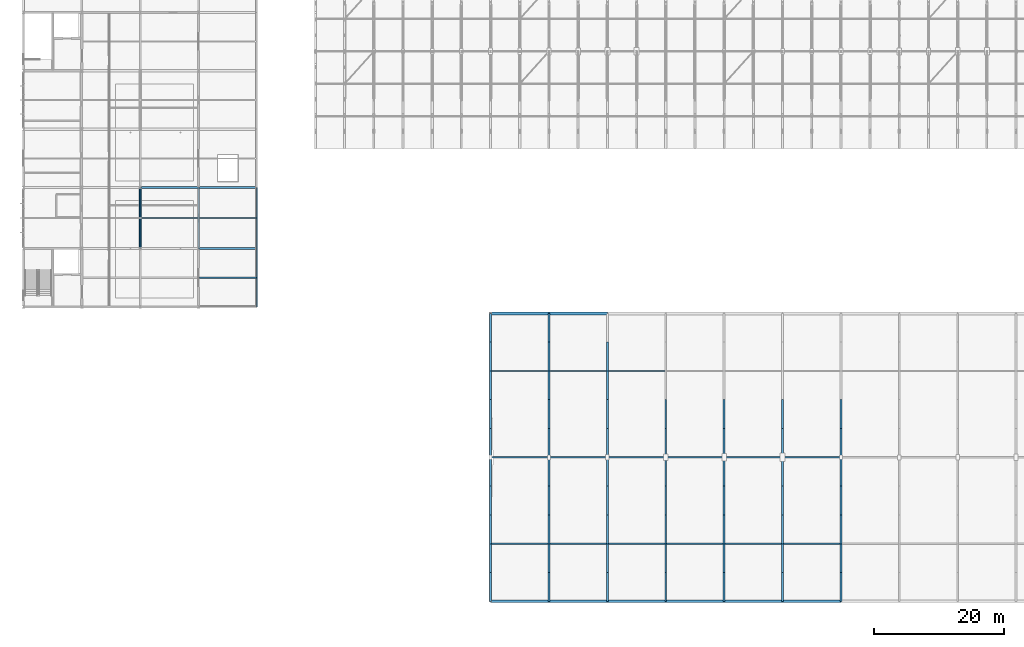
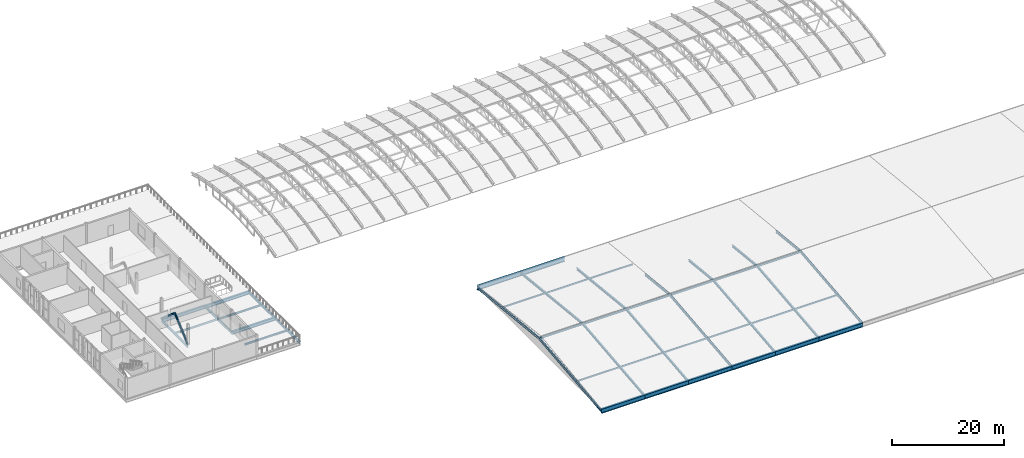
# One storey, part 3 of 53: 74 members, 18 beams.
"""IFC4 building model written with IfcOpenShell, lengths in metres."""

from ifc_helpers import new_model, si_unit, direction, frame, origin, origin_2d, place, context, subcontext, project, spatial, hollow_rectangle, hollow_circle, i_section, extrude, material, material_profile, profile_set, type_object, element, save


model = new_model("IFC4")

# Units and contexts
model_context = context("Model", 3, precision=1e-05, world=origin(), true_north=direction((0.0, 1.0)))
body_context = subcontext(model_context, "Body", "Model", "MODEL_VIEW")
ifc_project = project(units=[si_unit("LENGTHUNIT", "METRE"), si_unit("AREAUNIT", "SQUARE_METRE"), si_unit("VOLUMEUNIT", "CUBIC_METRE"), si_unit("PLANEANGLEUNIT", "RADIAN"), si_unit("MASSUNIT", "GRAM", prefix="KILO")], contexts=[model_context])

# Site, building, storey
site_placement = place(None, origin())
site = spatial("IfcSite", under=ifc_project, at=site_placement, CompositionType="ELEMENT")
building_placement = place(site_placement, origin())
building = spatial("IfcBuilding", under=site, at=building_placement, Name="Cazmaro Siding Exhibition Halls", CompositionType="ELEMENT")
storey_placement = place(building_placement, frame((0.0, 0.0, 21.0)))
storey = spatial("IfcBuildingStorey", under=building, at=storey_placement, Name="L04", CompositionType="ELEMENT", Elevation=21.0)

# Beams
ifc_material_1 = material(Name="Steel ASTM A992 Grade 50", Category="steel")
ifc_material_profile_1 = material_profile(ifc_material_1, i_section(OverallWidth=0.214111328125, OverallDepth=0.549072265625, WebThickness=0.014892578125, FlangeThickness=0.02392578125, at=origin_2d()), Name="W21X93")
ifc_profile_set_1 = profile_set([ifc_material_profile_1], Name="Steel ASTM A992 Grade 50")
beam_type_1 = type_object("IfcBeamType", Name="B-01", PredefinedType="BEAM", material=ifc_profile_set_1)
for number, where, z_axis, x_axis, name in (
    (1, (18.0, 63.60009765625, -0.493896484375), (0.0, 1.0, 0.0), (-1.0, 0.0, 0.0), "Beam B-01 BM-2341"),
    (2, (27.0, 63.60009765625, -0.5439453125), (0.0, 1.0, 0.0), (-1.0, 0.0, 0.0), "Beam B-01 BM-2347"),
):
    element("IfcBeam", number, at=place(storey_placement, frame(where, z_axis=z_axis, x_axis=x_axis)), inside=storey, type_object=beam_type_1, Name=name, PredefinedType="BEAM", context=body_context, shape_type="SweptSolid", body=[
        extrude(i_section(OverallWidth=0.214111328125, OverallDepth=0.549072265625, WebThickness=0.014892578125, FlangeThickness=0.02392578125, at=origin_2d()), origin(), (0.0, 0.0, 1.0), 9.39990234375),
    ])
beam_1_placement = place(storey_placement, frame((36.0, 54.60009765625, -0.5439453125), z_axis=(0.0, 1.0, 0.0), x_axis=(-1.0, 0.0, 0.0)))
element("IfcBeam", 3, at=beam_1_placement, inside=storey, type_object=beam_type_1, Name="Beam B-01 BM-2352", PredefinedType="BEAM", context=body_context, shape_type="SweptSolid", body=[
    extrude(i_section(OverallWidth=0.214111328125, OverallDepth=0.549072265625, WebThickness=0.014892578125, FlangeThickness=0.02392578125, at=origin_2d()), origin(), (0.0, 0.0, 1.0), 9.0),
])
beam_2_placement = place(storey_placement, frame((36.0, 63.60009765625, -0.5439453125), z_axis=(0.0, 1.0, 0.0), x_axis=(-1.0, 0.0, 0.0)))
element("IfcBeam", 4, at=beam_2_placement, inside=storey, type_object=beam_type_1, Name="Beam B-01 BM-2353", PredefinedType="BEAM", context=body_context, shape_type="SweptSolid", body=[
    extrude(i_section(OverallWidth=0.214111328125, OverallDepth=0.549072265625, WebThickness=0.014892578125, FlangeThickness=0.02392578125, at=origin_2d()), origin(), (0.0, 0.0, 1.0), 9.39990234375),
])
ifc_material_2 = material(Name="Steel ASTM A992 Grade 50", Category="steel")
ifc_material_profile_2 = material_profile(ifc_material_2, i_section(OverallWidth=0.4189453125, OverallDepth=0.927001953125, WebThickness=0.02001953125, FlangeThickness=0.031982421875, at=origin_2d()), Name="W36X231")
ifc_profile_set_2 = profile_set([ifc_material_profile_2], Name="Steel ASTM A992 Grade 50")
beam_type_2 = type_object("IfcBeamType", Name="G-02", PredefinedType="USERDEFINED", material=ifc_profile_set_2)
for number, where, z_axis, x_axis, name in (
    (5, (72.0, 9.25, -0.462890625), (1.0, 0.0, 0.0), (0.0, 1.0, 0.0), "Beam G-02 BM-1484"),
    (6, (72.0, 53.60009765625, -0.462890625), (1.0, 0.0, 0.0), (0.0, 1.0, 0.0), "Beam G-02 BM-1486"),
    (7, (81.0, 9.25, -0.462890625), (1.0, 0.0, 0.0), (0.0, 1.0, 0.0), "Beam G-02 BM-1488"),
    (8, (81.0, 53.60009765625, -0.462890625), (1.0, 0.0, 0.0), (0.0, 1.0, 0.0), "Beam G-02 BM-1490"),
    (9, (90.0, 9.25, -0.462890625), (1.0, 0.0, 0.0), (0.0, 1.0, 0.0), "Beam G-02 BM-1492"),
    (10, (99.0, 9.25, -0.462890625), (1.0, 0.0, 0.0), (0.0, 1.0, 0.0), "Beam G-02 BM-1496"),
    (11, (108.0, 9.25, -0.462890625), (1.0, 0.0, 0.0), (0.0, 1.0, 0.0), "Beam G-02 BM-1500"),
    (12, (117.0, 9.25, -0.462890625), (1.0, 0.0, 0.0), (0.0, 1.0, 0.0), "Beam G-02 BM-1504"),
):
    element("IfcBeam", number, at=place(storey_placement, frame(where, z_axis=z_axis, x_axis=x_axis)), inside=storey, type_object=beam_type_2, Name=name, ObjectType="GIRDER", PredefinedType="USERDEFINED", context=body_context, shape_type="SweptSolid", body=[
        extrude(i_section(OverallWidth=0.4189453125, OverallDepth=0.927001953125, WebThickness=0.02001953125, FlangeThickness=0.031982421875, at=origin_2d()), origin(), (0.0, 0.0, 1.0), 9.0),
    ])
ifc_material_3 = material(Name="Steel ASTM A992 Grade 50", Category="steel")
ifc_material_profile_3 = material_profile(ifc_material_3, i_section(OverallWidth=0.35595703125, OverallDepth=0.696044921875, WebThickness=0.014892578125, FlangeThickness=0.02490234375, at=origin_2d()), Name="W27X146")
ifc_profile_set_3 = profile_set([ifc_material_profile_3], Name="Steel ASTM A992 Grade 50")
beam_type_3 = type_object("IfcBeamType", Name="G-05", PredefinedType="USERDEFINED", material=ifc_profile_set_3)
for number, where, z_axis, x_axis, name in (
    (13, (18.0, 73.0, -0.568115234375), (1.0, 0.0, 0.0), (0.0, 1.0, 0.0), "Beam G-05 BM-2304"),
    (14, (27.0, 63.60009765625, -0.617919921875), (1.0, 0.0, 0.0), (0.0, 1.0, 0.0), "Beam G-05 BM-2316"),
    (15, (27.0, 73.0, -0.617919921875), (1.0, 0.0, 0.0), (0.0, 1.0, 0.0), "Beam G-05 BM-2317"),
):
    element("IfcBeam", number, at=place(storey_placement, frame(where, z_axis=z_axis, x_axis=x_axis)), inside=storey, type_object=beam_type_3, Name=name, ObjectType="GIRDER", PredefinedType="USERDEFINED", context=body_context, shape_type="SweptSolid", body=[
        extrude(i_section(OverallWidth=0.35595703125, OverallDepth=0.696044921875, WebThickness=0.014892578125, FlangeThickness=0.02490234375, at=origin_2d()), origin(), (0.0, 0.0, 1.0), 9.0),
    ])
ifc_material_4 = material(Name="Steel ASTM A992 Grade 50", Category="steel")
ifc_material_profile_4 = material_profile(ifc_material_4, i_section(OverallWidth=0.177978515625, OverallDepth=0.406005859375, WebThickness=0.008056640625, FlangeThickness=0.012939453125, at=origin_2d()), Name="W16X40")
ifc_profile_set_4 = profile_set([ifc_material_profile_4], Name="Steel ASTM A992 Grade 50")
beam_type_4 = type_object("IfcBeamType", Name="J-02", PredefinedType="JOIST", material=ifc_profile_set_4)
for number, where, z_axis, x_axis, name in (
    (16, (18.10693359375, 68.300048828125, -0.423095703125), (1.0, 0.0, 0.0), (0.0, 1.0, 0.0), "Beam J-02 BM-2310"),
    (17, (27.10693359375, 59.10009765625, -0.472900390625), (1.0, 0.0, 0.0), (0.0, 1.0, 0.0), "Beam J-02 BM-2322"),
    (18, (27.10693359375, 68.300048828125, -0.472900390625), (1.0, 0.0, 0.0), (0.0, 1.0, 0.0), "Beam J-02 BM-2323"),
):
    element("IfcBeam", number, at=place(storey_placement, frame(where, z_axis=z_axis, x_axis=x_axis)), inside=storey, type_object=beam_type_4, Name=name, PredefinedType="JOIST", context=body_context, shape_type="SweptSolid", body=[
        extrude(i_section(OverallWidth=0.177978515625, OverallDepth=0.406005859375, WebThickness=0.008056640625, FlangeThickness=0.012939453125, at=origin_2d()), origin(), (0.0, 0.0, 1.0), 8.7861328125),
    ])

# Members
ifc_material_5 = material(Name="Steel ASTM A500 Grade C", Category="steel")
ifc_material_profile_5 = material_profile(ifc_material_5, hollow_rectangle(XDim=0.202880859375, YDim=0.304931640625, WallThickness=0.011962890625, at=origin_2d()), Name="HSS12X8X1/2")
ifc_profile_set_5 = profile_set([ifc_material_profile_5], Name="Steel ASTM A500 Grade C")
member_type_1 = type_object("IfcMemberType", Name="RP-02", PredefinedType="PURLIN", material=ifc_profile_set_5)
for number, where, z_axis, x_axis, name in (
    (19, (72.0, 18.1201171875, 0.610107421875), (1.0, 0.0, 0.0), (0.0, 1.0, 0.0), "Warren roof purlin RP-02 MEM-2926"),
    (20, (72.0, 44.72998046875, 0.610107421875), (1.0, 0.0, 0.0), (0.0, 1.0, 0.0), "Warren roof purlin RP-02 MEM-2928"),
    (21, (81.0, 18.1201171875, 0.610107421875), (1.0, 0.0, 0.0), (0.0, 1.0, 0.0), "Warren roof purlin RP-02 MEM-2929"),
    (22, (81.0, 44.72998046875, 0.610107421875), (1.0, 0.0, 0.0), (0.0, 1.0, 0.0), "Warren roof purlin RP-02 MEM-2931"),
    (23, (90.0, 18.1201171875, 0.610107421875), (1.0, 0.0, 0.0), (0.0, 1.0, 0.0), "Warren roof purlin RP-02 MEM-2932"),
    (24, (90.0, 44.72998046875, 0.610107421875), (1.0, 0.0, 0.0), (0.0, 1.0, 0.0), "Warren roof purlin RP-02 MEM-2934"),
    (25, (99.0, 18.1201171875, 0.610107421875), (1.0, 0.0, 0.0), (0.0, 1.0, 0.0), "Warren roof purlin RP-02 MEM-2935"),
    (26, (108.0, 18.1201171875, 0.610107421875), (1.0, 0.0, 0.0), (0.0, 1.0, 0.0), "Warren roof purlin RP-02 MEM-2938"),
    (27, (117.0, 18.1201171875, 0.610107421875), (1.0, 0.0, 0.0), (0.0, 1.0, 0.0), "Warren roof purlin RP-02 MEM-2941"),
):
    element("IfcMember", number, at=place(storey_placement, frame(where, z_axis=z_axis, x_axis=x_axis)), inside=storey, type_object=member_type_1, Name=name, PredefinedType="PURLIN", context=body_context, shape_type="SweptSolid", body=[
        extrude(hollow_rectangle(XDim=0.202880859375, YDim=0.304931640625, WallThickness=0.011962890625, at=origin_2d()), origin(), (0.0, 0.0, 1.0), 9.0),
    ])
ifc_material_6 = material(Name="Steel ASTM A992 Grade 50", Category="steel")
ifc_material_profile_6 = material_profile(ifc_material_6, i_section(OverallWidth=0.177978515625, OverallDepth=0.406005859375, WebThickness=0.008056640625, FlangeThickness=0.012939453125, at=origin_2d()), Name="W16X40")
ifc_profile_set_6 = profile_set([ifc_material_profile_6], Name="Steel ASTM A992 Grade 50")
member_type_2 = type_object("IfcMemberType", Name="RP-03", PredefinedType="PURLIN", material=ifc_profile_set_6)
for number, where, z_axis, x_axis, name in (
    (28, (72.0, 31.425048828125, 1.9580078125), (1.0, 0.0, 0.0), (0.0, 1.0, 0.0), "Warren roof purlin RP-03 MEM-2927"),
    (29, (81.0, 31.425048828125, 1.9580078125), (1.0, 0.0, 0.0), (0.0, 1.0, 0.0), "Warren roof purlin RP-03 MEM-2930"),
    (30, (90.0, 31.425048828125, 1.9580078125), (1.0, 0.0, 0.0), (0.0, 1.0, 0.0), "Warren roof purlin RP-03 MEM-2933"),
    (31, (99.0, 31.425048828125, 1.9580078125), (1.0, 0.0, 0.0), (0.0, 1.0, 0.0), "Warren roof purlin RP-03 MEM-2936"),
    (32, (108.0, 31.425048828125, 1.9580078125), (1.0, 0.0, 0.0), (0.0, 1.0, 0.0), "Warren roof purlin RP-03 MEM-2939"),
    (33, (117.0, 31.425048828125, 1.9580078125), (1.0, 0.0, 0.0), (0.0, 1.0, 0.0), "Warren roof purlin RP-03 MEM-2942"),
):
    element("IfcMember", number, at=place(storey_placement, frame(where, z_axis=z_axis, x_axis=x_axis)), inside=storey, type_object=member_type_2, Name=name, PredefinedType="PURLIN", context=body_context, shape_type="SweptSolid", body=[
        extrude(i_section(OverallWidth=0.177978515625, OverallDepth=0.406005859375, WebThickness=0.008056640625, FlangeThickness=0.012939453125, at=origin_2d()), origin(), (0.0, 0.0, 1.0), 9.0),
    ])
ifc_material_7 = material(Name="Steel ASTM A992 Grade 50", Category="steel")
ifc_material_profile_7 = material_profile(ifc_material_7, i_section(OverallWidth=0.279052734375, OverallDepth=0.4619140625, WebThickness=0.010986328125, FlangeThickness=0.01708984375, at=origin_2d()), Name="W18X76")
ifc_profile_set_7 = profile_set([ifc_material_profile_7], Name="Steel ASTM A992 Grade 50")
member_type_3 = type_object("IfcMemberType", Name="TC-03", PredefinedType="CHORD", material=ifc_profile_set_7)
for number, where, z_axis, x_axis, name in (
    (34, (72.0, 9.25, -0.360107421875), (0.0, 0.994523736536, 0.104510944239), (-1.0, 0.0, 0.0), "Warren roof truss top chord TC-03 MEM-2302"),
    (35, (72.0, 13.68505859375, 0.10595703125), (0.0, 0.994500952399, 0.104727530658), (-1.0, 0.0, 0.0), "Warren roof truss top chord TC-03 MEM-2305"),
):
    element("IfcMember", number, at=place(storey_placement, frame(where, z_axis=z_axis, x_axis=x_axis)), inside=storey, type_object=member_type_3, Name=name, PredefinedType="CHORD", context=body_context, shape_type="SweptSolid", body=[
        extrude(i_section(OverallWidth=0.279052734375, OverallDepth=0.4619140625, WebThickness=0.010986328125, FlangeThickness=0.01708984375, at=origin_2d()), origin(), (0.0, 0.0, 1.0), 4.45947265625),
    ])
member_1_placement = place(storey_placement, frame((72.0, 18.1201171875, 0.572998046875), z_axis=(0.0, 0.994523138518, 0.104516634816), x_axis=(-1.0, 0.0, 0.0)))
element("IfcMember", 36, at=member_1_placement, inside=storey, type_object=member_type_3, Name="Warren roof truss top chord TC-03 MEM-2308", PredefinedType="CHORD", context=body_context, shape_type="SweptSolid", body=[
    extrude(i_section(OverallWidth=0.279052734375, OverallDepth=0.4619140625, WebThickness=0.010986328125, FlangeThickness=0.01708984375, at=origin_2d()), origin(), (0.0, 0.0, 1.0), 4.459228515625),
])
for number, where, z_axis, x_axis, name in (
    (37, (72.0, 22.554931640625, 1.0390625), (0.0, 0.994529425363, 0.10445679531), (-1.0, 0.0, 0.0), "Warren roof truss top chord TC-03 MEM-2311"),
    (38, (72.0, 26.989990234375, 1.5048828125), (0.0, 0.994523736536, 0.104510944239), (-1.0, 0.0, 0.0), "Warren roof truss top chord TC-03 MEM-2314"),
    (39, (72.0, 31.425048828125, 1.970947265625), (0.0, 0.994523736536, -0.104510944239), (-1.0, 0.0, 0.0), "Warren roof truss top chord TC-03 MEM-2317"),
):
    element("IfcMember", number, at=place(storey_placement, frame(where, z_axis=z_axis, x_axis=x_axis)), inside=storey, type_object=member_type_3, Name=name, PredefinedType="CHORD", context=body_context, shape_type="SweptSolid", body=[
        extrude(i_section(OverallWidth=0.279052734375, OverallDepth=0.4619140625, WebThickness=0.010986328125, FlangeThickness=0.01708984375, at=origin_2d()), origin(), (0.0, 0.0, 1.0), 4.45947265625),
    ])
member_2_placement = place(storey_placement, frame((72.0, 35.860107421875, 1.5048828125), z_axis=(0.0, 0.994528827961, -0.104462483003), x_axis=(-1.0, 0.0, 0.0)))
element("IfcMember", 40, at=member_2_placement, inside=storey, type_object=member_type_3, Name="Warren roof truss top chord TC-03 MEM-2320", PredefinedType="CHORD", context=body_context, shape_type="SweptSolid", body=[
    extrude(i_section(OverallWidth=0.279052734375, OverallDepth=0.4619140625, WebThickness=0.010986328125, FlangeThickness=0.01708984375, at=origin_2d()), origin(), (0.0, 0.0, 1.0), 4.459228515625),
])
for number, where, z_axis, x_axis, name in (
    (41, (72.0, 40.294921875, 1.0390625), (0.0, 0.994523736536, -0.104510944239), (-1.0, 0.0, 0.0), "Warren roof truss top chord TC-03 MEM-2323"),
    (42, (72.0, 44.72998046875, 0.572998046875), (0.0, 0.994500952399, -0.104727530658), (-1.0, 0.0, 0.0), "Warren roof truss top chord TC-03 MEM-2326"),
    (43, (72.0, 49.1650390625, 0.10595703125), (0.0, 0.994523736536, -0.104510944239), (-1.0, 0.0, 0.0), "Warren roof truss top chord TC-03 MEM-2329"),
    (44, (81.0, 9.25, -0.360107421875), (0.0, 0.994523736536, 0.104510944239), (-1.0, 0.0, 0.0), "Warren roof truss top chord TC-03 MEM-2341"),
    (45, (81.0, 13.68505859375, 0.10595703125), (0.0, 0.994500952399, 0.104727530658), (-1.0, 0.0, 0.0), "Warren roof truss top chord TC-03 MEM-2344"),
):
    element("IfcMember", number, at=place(storey_placement, frame(where, z_axis=z_axis, x_axis=x_axis)), inside=storey, type_object=member_type_3, Name=name, PredefinedType="CHORD", context=body_context, shape_type="SweptSolid", body=[
        extrude(i_section(OverallWidth=0.279052734375, OverallDepth=0.4619140625, WebThickness=0.010986328125, FlangeThickness=0.01708984375, at=origin_2d()), origin(), (0.0, 0.0, 1.0), 4.45947265625),
    ])
member_3_placement = place(storey_placement, frame((81.0, 18.1201171875, 0.572998046875), z_axis=(0.0, 0.994523138518, 0.104516634816), x_axis=(-1.0, 0.0, 0.0)))
element("IfcMember", 46, at=member_3_placement, inside=storey, type_object=member_type_3, Name="Warren roof truss top chord TC-03 MEM-2347", PredefinedType="CHORD", context=body_context, shape_type="SweptSolid", body=[
    extrude(i_section(OverallWidth=0.279052734375, OverallDepth=0.4619140625, WebThickness=0.010986328125, FlangeThickness=0.01708984375, at=origin_2d()), origin(), (0.0, 0.0, 1.0), 4.459228515625),
])
for number, where, z_axis, x_axis, name in (
    (47, (81.0, 22.554931640625, 1.0390625), (0.0, 0.994529425363, 0.10445679531), (-1.0, 0.0, 0.0), "Warren roof truss top chord TC-03 MEM-2350"),
    (48, (81.0, 26.989990234375, 1.5048828125), (0.0, 0.994523736536, 0.104510944239), (-1.0, 0.0, 0.0), "Warren roof truss top chord TC-03 MEM-2353"),
    (49, (81.0, 31.425048828125, 1.970947265625), (0.0, 0.994523736536, -0.104510944239), (-1.0, 0.0, 0.0), "Warren roof truss top chord TC-03 MEM-2356"),
):
    element("IfcMember", number, at=place(storey_placement, frame(where, z_axis=z_axis, x_axis=x_axis)), inside=storey, type_object=member_type_3, Name=name, PredefinedType="CHORD", context=body_context, shape_type="SweptSolid", body=[
        extrude(i_section(OverallWidth=0.279052734375, OverallDepth=0.4619140625, WebThickness=0.010986328125, FlangeThickness=0.01708984375, at=origin_2d()), origin(), (0.0, 0.0, 1.0), 4.45947265625),
    ])
member_4_placement = place(storey_placement, frame((81.0, 35.860107421875, 1.5048828125), z_axis=(0.0, 0.994528827961, -0.104462483003), x_axis=(-1.0, 0.0, 0.0)))
element("IfcMember", 50, at=member_4_placement, inside=storey, type_object=member_type_3, Name="Warren roof truss top chord TC-03 MEM-2359", PredefinedType="CHORD", context=body_context, shape_type="SweptSolid", body=[
    extrude(i_section(OverallWidth=0.279052734375, OverallDepth=0.4619140625, WebThickness=0.010986328125, FlangeThickness=0.01708984375, at=origin_2d()), origin(), (0.0, 0.0, 1.0), 4.459228515625),
])
for number, where, z_axis, x_axis, name in (
    (51, (81.0, 40.294921875, 1.0390625), (0.0, 0.994523736536, -0.104510944239), (-1.0, 0.0, 0.0), "Warren roof truss top chord TC-03 MEM-2362"),
    (52, (81.0, 44.72998046875, 0.572998046875), (0.0, 0.994500952399, -0.104727530658), (-1.0, 0.0, 0.0), "Warren roof truss top chord TC-03 MEM-2365"),
    (53, (81.0, 49.1650390625, 0.10595703125), (0.0, 0.994523736536, -0.104510944239), (-1.0, 0.0, 0.0), "Warren roof truss top chord TC-03 MEM-2368"),
    (54, (90.0, 9.25, -0.360107421875), (0.0, 0.994523736536, 0.104510944239), (-1.0, 0.0, 0.0), "Warren roof truss top chord TC-03 MEM-2380"),
    (55, (90.0, 13.68505859375, 0.10595703125), (0.0, 0.994500952399, 0.104727530658), (-1.0, 0.0, 0.0), "Warren roof truss top chord TC-03 MEM-2383"),
):
    element("IfcMember", number, at=place(storey_placement, frame(where, z_axis=z_axis, x_axis=x_axis)), inside=storey, type_object=member_type_3, Name=name, PredefinedType="CHORD", context=body_context, shape_type="SweptSolid", body=[
        extrude(i_section(OverallWidth=0.279052734375, OverallDepth=0.4619140625, WebThickness=0.010986328125, FlangeThickness=0.01708984375, at=origin_2d()), origin(), (0.0, 0.0, 1.0), 4.45947265625),
    ])
member_5_placement = place(storey_placement, frame((90.0, 18.1201171875, 0.572998046875), z_axis=(0.0, 0.994523138518, 0.104516634816), x_axis=(-1.0, 0.0, 0.0)))
element("IfcMember", 56, at=member_5_placement, inside=storey, type_object=member_type_3, Name="Warren roof truss top chord TC-03 MEM-2386", PredefinedType="CHORD", context=body_context, shape_type="SweptSolid", body=[
    extrude(i_section(OverallWidth=0.279052734375, OverallDepth=0.4619140625, WebThickness=0.010986328125, FlangeThickness=0.01708984375, at=origin_2d()), origin(), (0.0, 0.0, 1.0), 4.459228515625),
])
for number, where, z_axis, x_axis, name in (
    (57, (90.0, 22.554931640625, 1.0390625), (0.0, 0.994529425363, 0.10445679531), (-1.0, 0.0, 0.0), "Warren roof truss top chord TC-03 MEM-2389"),
    (58, (90.0, 26.989990234375, 1.5048828125), (0.0, 0.994523736536, 0.104510944239), (-1.0, 0.0, 0.0), "Warren roof truss top chord TC-03 MEM-2392"),
    (59, (90.0, 31.425048828125, 1.970947265625), (0.0, 0.994523736536, -0.104510944239), (-1.0, 0.0, 0.0), "Warren roof truss top chord TC-03 MEM-2395"),
):
    element("IfcMember", number, at=place(storey_placement, frame(where, z_axis=z_axis, x_axis=x_axis)), inside=storey, type_object=member_type_3, Name=name, PredefinedType="CHORD", context=body_context, shape_type="SweptSolid", body=[
        extrude(i_section(OverallWidth=0.279052734375, OverallDepth=0.4619140625, WebThickness=0.010986328125, FlangeThickness=0.01708984375, at=origin_2d()), origin(), (0.0, 0.0, 1.0), 4.45947265625),
    ])
member_6_placement = place(storey_placement, frame((90.0, 35.860107421875, 1.5048828125), z_axis=(0.0, 0.994528827961, -0.104462483003), x_axis=(-1.0, 0.0, 0.0)))
element("IfcMember", 60, at=member_6_placement, inside=storey, type_object=member_type_3, Name="Warren roof truss top chord TC-03 MEM-2398", PredefinedType="CHORD", context=body_context, shape_type="SweptSolid", body=[
    extrude(i_section(OverallWidth=0.279052734375, OverallDepth=0.4619140625, WebThickness=0.010986328125, FlangeThickness=0.01708984375, at=origin_2d()), origin(), (0.0, 0.0, 1.0), 4.459228515625),
])
for number, where, z_axis, x_axis, name in (
    (61, (90.0, 40.294921875, 1.0390625), (0.0, 0.994523736536, -0.104510944239), (-1.0, 0.0, 0.0), "Warren roof truss top chord TC-03 MEM-2401"),
    (62, (90.0, 44.72998046875, 0.572998046875), (0.0, 0.994500952399, -0.104727530658), (-1.0, 0.0, 0.0), "Warren roof truss top chord TC-03 MEM-2404"),
    (63, (99.0, 9.25, -0.360107421875), (0.0, 0.994523736536, 0.104510944239), (-1.0, 0.0, 0.0), "Warren roof truss top chord TC-03 MEM-2419"),
    (64, (99.0, 13.68505859375, 0.10595703125), (0.0, 0.994500952399, 0.104727530658), (-1.0, 0.0, 0.0), "Warren roof truss top chord TC-03 MEM-2422"),
):
    element("IfcMember", number, at=place(storey_placement, frame(where, z_axis=z_axis, x_axis=x_axis)), inside=storey, type_object=member_type_3, Name=name, PredefinedType="CHORD", context=body_context, shape_type="SweptSolid", body=[
        extrude(i_section(OverallWidth=0.279052734375, OverallDepth=0.4619140625, WebThickness=0.010986328125, FlangeThickness=0.01708984375, at=origin_2d()), origin(), (0.0, 0.0, 1.0), 4.45947265625),
    ])
member_7_placement = place(storey_placement, frame((99.0, 18.1201171875, 0.572998046875), z_axis=(0.0, 0.994523138518, 0.104516634816), x_axis=(-1.0, 0.0, 0.0)))
element("IfcMember", 65, at=member_7_placement, inside=storey, type_object=member_type_3, Name="Warren roof truss top chord TC-03 MEM-2425", PredefinedType="CHORD", context=body_context, shape_type="SweptSolid", body=[
    extrude(i_section(OverallWidth=0.279052734375, OverallDepth=0.4619140625, WebThickness=0.010986328125, FlangeThickness=0.01708984375, at=origin_2d()), origin(), (0.0, 0.0, 1.0), 4.459228515625),
])
for number, where, z_axis, x_axis, name in (
    (66, (99.0, 22.554931640625, 1.0390625), (0.0, 0.994529425363, 0.10445679531), (-1.0, 0.0, 0.0), "Warren roof truss top chord TC-03 MEM-2428"),
    (67, (99.0, 26.989990234375, 1.5048828125), (0.0, 0.994523736536, 0.104510944239), (-1.0, 0.0, 0.0), "Warren roof truss top chord TC-03 MEM-2431"),
    (68, (99.0, 31.425048828125, 1.970947265625), (0.0, 0.994523736536, -0.104510944239), (-1.0, 0.0, 0.0), "Warren roof truss top chord TC-03 MEM-2434"),
):
    element("IfcMember", number, at=place(storey_placement, frame(where, z_axis=z_axis, x_axis=x_axis)), inside=storey, type_object=member_type_3, Name=name, PredefinedType="CHORD", context=body_context, shape_type="SweptSolid", body=[
        extrude(i_section(OverallWidth=0.279052734375, OverallDepth=0.4619140625, WebThickness=0.010986328125, FlangeThickness=0.01708984375, at=origin_2d()), origin(), (0.0, 0.0, 1.0), 4.45947265625),
    ])
member_8_placement = place(storey_placement, frame((99.0, 35.860107421875, 1.5048828125), z_axis=(0.0, 0.994528827961, -0.104462483003), x_axis=(-1.0, 0.0, 0.0)))
element("IfcMember", 69, at=member_8_placement, inside=storey, type_object=member_type_3, Name="Warren roof truss top chord TC-03 MEM-2437", PredefinedType="CHORD", context=body_context, shape_type="SweptSolid", body=[
    extrude(i_section(OverallWidth=0.279052734375, OverallDepth=0.4619140625, WebThickness=0.010986328125, FlangeThickness=0.01708984375, at=origin_2d()), origin(), (0.0, 0.0, 1.0), 4.459228515625),
])
for number, where, z_axis, x_axis, name in (
    (70, (108.0, 9.25, -0.360107421875), (0.0, 0.994523736536, 0.104510944239), (-1.0, 0.0, 0.0), "Warren roof truss top chord TC-03 MEM-2458"),
    (71, (108.0, 13.68505859375, 0.10595703125), (0.0, 0.994500952399, 0.104727530658), (-1.0, 0.0, 0.0), "Warren roof truss top chord TC-03 MEM-2461"),
):
    element("IfcMember", number, at=place(storey_placement, frame(where, z_axis=z_axis, x_axis=x_axis)), inside=storey, type_object=member_type_3, Name=name, PredefinedType="CHORD", context=body_context, shape_type="SweptSolid", body=[
        extrude(i_section(OverallWidth=0.279052734375, OverallDepth=0.4619140625, WebThickness=0.010986328125, FlangeThickness=0.01708984375, at=origin_2d()), origin(), (0.0, 0.0, 1.0), 4.45947265625),
    ])
member_9_placement = place(storey_placement, frame((108.0, 18.1201171875, 0.572998046875), z_axis=(0.0, 0.994523138518, 0.104516634816), x_axis=(-1.0, 0.0, 0.0)))
element("IfcMember", 72, at=member_9_placement, inside=storey, type_object=member_type_3, Name="Warren roof truss top chord TC-03 MEM-2464", PredefinedType="CHORD", context=body_context, shape_type="SweptSolid", body=[
    extrude(i_section(OverallWidth=0.279052734375, OverallDepth=0.4619140625, WebThickness=0.010986328125, FlangeThickness=0.01708984375, at=origin_2d()), origin(), (0.0, 0.0, 1.0), 4.459228515625),
])
for number, where, z_axis, x_axis, name in (
    (73, (108.0, 22.554931640625, 1.0390625), (0.0, 0.994529425363, 0.10445679531), (-1.0, 0.0, 0.0), "Warren roof truss top chord TC-03 MEM-2467"),
    (74, (108.0, 26.989990234375, 1.5048828125), (0.0, 0.994523736536, 0.104510944239), (-1.0, 0.0, 0.0), "Warren roof truss top chord TC-03 MEM-2470"),
    (75, (108.0, 31.425048828125, 1.970947265625), (0.0, 0.994523736536, -0.104510944239), (-1.0, 0.0, 0.0), "Warren roof truss top chord TC-03 MEM-2473"),
):
    element("IfcMember", number, at=place(storey_placement, frame(where, z_axis=z_axis, x_axis=x_axis)), inside=storey, type_object=member_type_3, Name=name, PredefinedType="CHORD", context=body_context, shape_type="SweptSolid", body=[
        extrude(i_section(OverallWidth=0.279052734375, OverallDepth=0.4619140625, WebThickness=0.010986328125, FlangeThickness=0.01708984375, at=origin_2d()), origin(), (0.0, 0.0, 1.0), 4.45947265625),
    ])
member_10_placement = place(storey_placement, frame((108.0, 35.860107421875, 1.5048828125), z_axis=(0.0, 0.994528827961, -0.104462483003), x_axis=(-1.0, 0.0, 0.0)))
element("IfcMember", 76, at=member_10_placement, inside=storey, type_object=member_type_3, Name="Warren roof truss top chord TC-03 MEM-2476", PredefinedType="CHORD", context=body_context, shape_type="SweptSolid", body=[
    extrude(i_section(OverallWidth=0.279052734375, OverallDepth=0.4619140625, WebThickness=0.010986328125, FlangeThickness=0.01708984375, at=origin_2d()), origin(), (0.0, 0.0, 1.0), 4.459228515625),
])
for number, where, z_axis, x_axis, name in (
    (77, (117.0, 9.25, -0.360107421875), (0.0, 0.994523736536, 0.104510944239), (-1.0, 0.0, 0.0), "Warren roof truss top chord TC-03 MEM-2497"),
    (78, (117.0, 13.68505859375, 0.10595703125), (0.0, 0.994500952399, 0.104727530658), (-1.0, 0.0, 0.0), "Warren roof truss top chord TC-03 MEM-2500"),
):
    element("IfcMember", number, at=place(storey_placement, frame(where, z_axis=z_axis, x_axis=x_axis)), inside=storey, type_object=member_type_3, Name=name, PredefinedType="CHORD", context=body_context, shape_type="SweptSolid", body=[
        extrude(i_section(OverallWidth=0.279052734375, OverallDepth=0.4619140625, WebThickness=0.010986328125, FlangeThickness=0.01708984375, at=origin_2d()), origin(), (0.0, 0.0, 1.0), 4.45947265625),
    ])
member_11_placement = place(storey_placement, frame((117.0, 18.1201171875, 0.572998046875), z_axis=(0.0, 0.994523138518, 0.104516634816), x_axis=(-1.0, 0.0, 0.0)))
element("IfcMember", 79, at=member_11_placement, inside=storey, type_object=member_type_3, Name="Warren roof truss top chord TC-03 MEM-2503", PredefinedType="CHORD", context=body_context, shape_type="SweptSolid", body=[
    extrude(i_section(OverallWidth=0.279052734375, OverallDepth=0.4619140625, WebThickness=0.010986328125, FlangeThickness=0.01708984375, at=origin_2d()), origin(), (0.0, 0.0, 1.0), 4.459228515625),
])
for number, where, z_axis, x_axis, name in (
    (80, (117.0, 22.554931640625, 1.0390625), (0.0, 0.994529425363, 0.10445679531), (-1.0, 0.0, 0.0), "Warren roof truss top chord TC-03 MEM-2506"),
    (81, (117.0, 26.989990234375, 1.5048828125), (0.0, 0.994523736536, 0.104510944239), (-1.0, 0.0, 0.0), "Warren roof truss top chord TC-03 MEM-2509"),
    (82, (117.0, 31.425048828125, 1.970947265625), (0.0, 0.994523736536, -0.104510944239), (-1.0, 0.0, 0.0), "Warren roof truss top chord TC-03 MEM-2512"),
):
    element("IfcMember", number, at=place(storey_placement, frame(where, z_axis=z_axis, x_axis=x_axis)), inside=storey, type_object=member_type_3, Name=name, PredefinedType="CHORD", context=body_context, shape_type="SweptSolid", body=[
        extrude(i_section(OverallWidth=0.279052734375, OverallDepth=0.4619140625, WebThickness=0.010986328125, FlangeThickness=0.01708984375, at=origin_2d()), origin(), (0.0, 0.0, 1.0), 4.45947265625),
    ])
member_12_placement = place(storey_placement, frame((117.0, 35.860107421875, 1.5048828125), z_axis=(0.0, 0.994528827961, -0.104462483003), x_axis=(-1.0, 0.0, 0.0)))
element("IfcMember", 83, at=member_12_placement, inside=storey, type_object=member_type_3, Name="Warren roof truss top chord TC-03 MEM-2515", PredefinedType="CHORD", context=body_context, shape_type="SweptSolid", body=[
    extrude(i_section(OverallWidth=0.279052734375, OverallDepth=0.4619140625, WebThickness=0.010986328125, FlangeThickness=0.01708984375, at=origin_2d()), origin(), (0.0, 0.0, 1.0), 4.459228515625),
])
for number, where, z_axis, x_axis, name in (
    (84, (126.0, 9.25, -0.360107421875), (0.0, 0.994523736536, 0.104510944239), (-1.0, 0.0, 0.0), "Warren roof truss top chord TC-03 MEM-2536"),
    (85, (126.0, 13.68505859375, 0.10595703125), (0.0, 0.994500952399, 0.104727530658), (-1.0, 0.0, 0.0), "Warren roof truss top chord TC-03 MEM-2539"),
):
    element("IfcMember", number, at=place(storey_placement, frame(where, z_axis=z_axis, x_axis=x_axis)), inside=storey, type_object=member_type_3, Name=name, PredefinedType="CHORD", context=body_context, shape_type="SweptSolid", body=[
        extrude(i_section(OverallWidth=0.279052734375, OverallDepth=0.4619140625, WebThickness=0.010986328125, FlangeThickness=0.01708984375, at=origin_2d()), origin(), (0.0, 0.0, 1.0), 4.45947265625),
    ])
member_13_placement = place(storey_placement, frame((126.0, 18.1201171875, 0.572998046875), z_axis=(0.0, 0.994523138518, 0.104516634816), x_axis=(-1.0, 0.0, 0.0)))
element("IfcMember", 86, at=member_13_placement, inside=storey, type_object=member_type_3, Name="Warren roof truss top chord TC-03 MEM-2542", PredefinedType="CHORD", context=body_context, shape_type="SweptSolid", body=[
    extrude(i_section(OverallWidth=0.279052734375, OverallDepth=0.4619140625, WebThickness=0.010986328125, FlangeThickness=0.01708984375, at=origin_2d()), origin(), (0.0, 0.0, 1.0), 4.459228515625),
])
for number, where, z_axis, x_axis, name in (
    (87, (126.0, 22.554931640625, 1.0390625), (0.0, 0.994529425363, 0.10445679531), (-1.0, 0.0, 0.0), "Warren roof truss top chord TC-03 MEM-2545"),
    (88, (126.0, 26.989990234375, 1.5048828125), (0.0, 0.994523736536, 0.104510944239), (-1.0, 0.0, 0.0), "Warren roof truss top chord TC-03 MEM-2548"),
    (89, (126.0, 31.425048828125, 1.970947265625), (0.0, 0.994523736536, -0.104510944239), (-1.0, 0.0, 0.0), "Warren roof truss top chord TC-03 MEM-2551"),
):
    element("IfcMember", number, at=place(storey_placement, frame(where, z_axis=z_axis, x_axis=x_axis)), inside=storey, type_object=member_type_3, Name=name, PredefinedType="CHORD", context=body_context, shape_type="SweptSolid", body=[
        extrude(i_section(OverallWidth=0.279052734375, OverallDepth=0.4619140625, WebThickness=0.010986328125, FlangeThickness=0.01708984375, at=origin_2d()), origin(), (0.0, 0.0, 1.0), 4.45947265625),
    ])
member_14_placement = place(storey_placement, frame((126.0, 35.860107421875, 1.5048828125), z_axis=(0.0, 0.994528827961, -0.104462483003), x_axis=(-1.0, 0.0, 0.0)))
element("IfcMember", 90, at=member_14_placement, inside=storey, type_object=member_type_3, Name="Warren roof truss top chord TC-03 MEM-2554", PredefinedType="CHORD", context=body_context, shape_type="SweptSolid", body=[
    extrude(i_section(OverallWidth=0.279052734375, OverallDepth=0.4619140625, WebThickness=0.010986328125, FlangeThickness=0.01708984375, at=origin_2d()), origin(), (0.0, 0.0, 1.0), 4.459228515625),
])
ifc_material_8 = material(Name="Steel ASTM A500 Grade C", Category="steel")
ifc_material_profile_8 = material_profile(ifc_material_8, hollow_circle(Radius=0.202880859375, WallThickness=0.012939453125, at=origin_2d()), Name="PIPE16XS")
ifc_profile_set_8 = profile_set([ifc_material_profile_8], Name="Steel ASTM A500 Grade C")
member_type_4 = type_object("IfcMemberType", Name="WB-04", PredefinedType="BRACE", material=ifc_profile_set_8)
for number, where, z_axis, x_axis, name in (
    (91, (18.0, 63.60009765625, 0.0), (0.0, 0.759936089402, 0.649997800015), (-1.0, 0.0, 0.0), "BRBF lateral brace WB-04 MEM-3446"),
    (92, (18.0, 73.0, 0.0), (0.0, -0.759936089402, 0.649997800015), (1.0, 0.0, 0.0), "BRBF lateral brace WB-04 MEM-3447"),
):
    element("IfcMember", number, at=place(storey_placement, frame(where, z_axis=z_axis, x_axis=x_axis)), inside=storey, type_object=member_type_4, Name=name, PredefinedType="BRACE", context=body_context, shape_type="SweptSolid", body=[
        extrude(hollow_circle(Radius=0.202880859375, WallThickness=0.012939453125, at=origin_2d()), origin(), (0.0, 0.0, 1.0), 6.1845703125),
    ])

save(model, "model.ifc")
